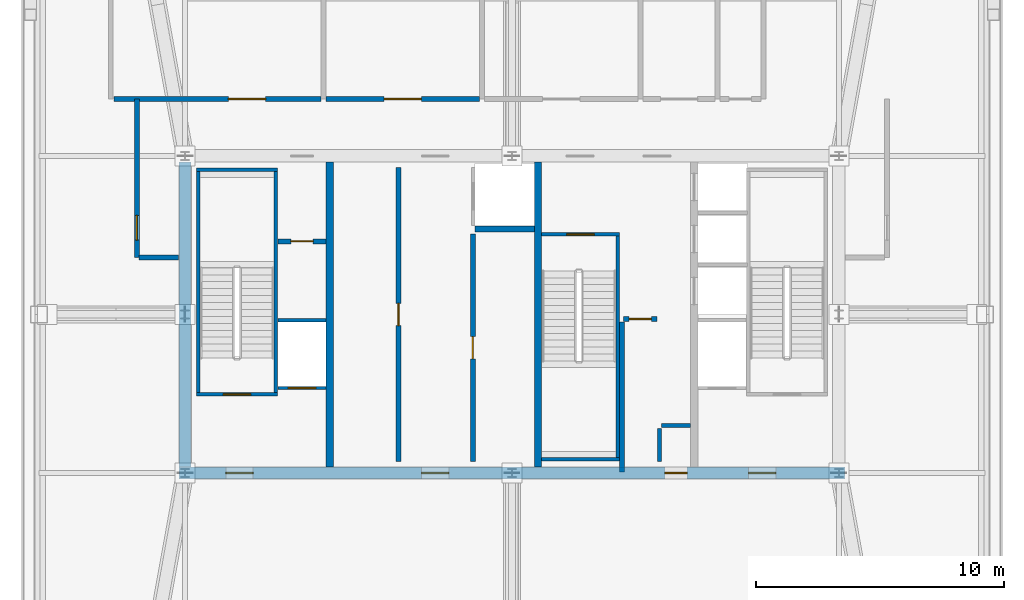
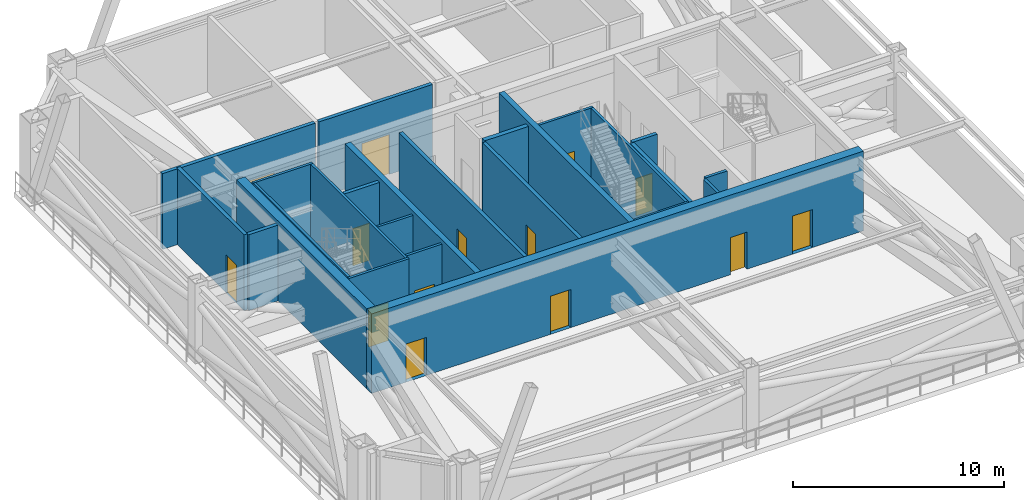
# One storey, part 5 of 9: 25 walls, 14 doors, 14 openings.
"""IFC4 building model written with IfcOpenShell, lengths in metres."""

from ifc_helpers import new_model, si_unit, direction, frame, frame_2d, origin, place, context, subcontext, project, spatial, rectangle, extrude, source, transform, mapped, material, layer, layer_set, type_object, element, fill, save


model = new_model("IFC4")

# Units and contexts
model_context = context("Model", 3, precision=1e-05, world=origin(), true_north=direction((0.0, 1.0)))
body_context = subcontext(model_context, "Body", "Model", "MODEL_VIEW")
ifc_project = project(units=[si_unit("LENGTHUNIT", "METRE"), si_unit("AREAUNIT", "SQUARE_METRE"), si_unit("VOLUMEUNIT", "CUBIC_METRE"), si_unit("PLANEANGLEUNIT", "RADIAN"), si_unit("MASSUNIT", "GRAM", prefix="KILO"), si_unit("THERMODYNAMICTEMPERATUREUNIT", "KELVIN"), si_unit("POWERUNIT", "WATT")], contexts=[model_context])

# Site, building, storey
site_placement = place(None, origin())
site = spatial("IfcSite", under=ifc_project, at=site_placement, CompositionType="ELEMENT")
building_placement = place(site_placement, origin())
building = spatial("IfcBuilding", under=site, at=building_placement, Name="Yuzanri Waterfront Tower", CompositionType="ELEMENT")
storey_placement = place(building_placement, frame((0.0, 0.0, 306.60009765625)))
storey = spatial("IfcBuildingStorey", under=building, at=storey_placement, Name="L82", CompositionType="ELEMENT", Elevation=306.60009765625)

# Wall, openings, doors
ifc_material_1 = material(Name="Concrete C45", Category="concrete")
ifc_layer_1 = layer(ifc_material_1, 0.47998046875)
ifc_layer_set_1 = layer_set([ifc_layer_1], Name="Concrete C45")
wall_type_1 = type_object("IfcWallType", Name="Concrete C45 High-Rise Core Shear Wall 480", PredefinedType="SHEAR", material=ifc_layer_set_1)
wall_1_placement = place(storey_placement, frame((23.56005859375, 19.39990234375, 0.0), z_axis=(0.0, 0.0, 1.0), x_axis=(1.0, 0.0, 0.0)))
wall_1 = element("IfcWall", 1, at=wall_1_placement, inside=storey, type_object=wall_type_1, Name="L82 Core South Shear Wall", PredefinedType="SHEAR", context=body_context, shape_type="SweptSolid", body=[
    extrude(rectangle(XDim=26.8798828125, YDim=0.47998046875, at=frame_2d((13.43994140625, 0.0))), origin(), (0.0, 0.0, 1.0), 4.599853515625),
])
opening_1_placement = place(wall_1_placement, frame((1.889892578125, 0.0, 0.0)))
opening_1 = element("IfcOpeningElement", 2, at=opening_1_placement, cuts=wall_1, Name="Opening FD-1100", PredefinedType="OPENING", context=body_context, shape_type="SweptSolid", body=[
    extrude(rectangle(XDim=1.10009765625, YDim=2.199951171875, at=frame_2d((0.550048828125, 1.10009765625))), frame((0.0, 0.2548828125, 0.0), z_axis=(0.0, -1.0, 0.0), x_axis=(1.0, 0.0, 0.0)), (0.0, 0.0, 1.0), 0.509765625),
])
opening_2_placement = place(wall_1_placement, frame((9.7900390625, 0.0, 0.0)))
opening_2 = element("IfcOpeningElement", 3, at=opening_2_placement, cuts=wall_1, Name="Opening FD-1100", PredefinedType="OPENING", context=body_context, shape_type="SweptSolid", body=[
    extrude(rectangle(XDim=1.10009765625, YDim=2.199951171875, at=frame_2d((0.550048828125, 1.10009765625))), frame((0.0, 0.2548828125, 0.0), z_axis=(0.0, -1.0, 0.0), x_axis=(1.0, 0.0, 0.0)), (0.0, 0.0, 1.0), 0.509765625),
])
opening_3_placement = place(wall_1_placement, frame((22.989990234375, 0.0, 0.0)))
opening_3 = element("IfcOpeningElement", 4, at=opening_3_placement, cuts=wall_1, Name="Opening FD-1100", PredefinedType="OPENING", context=body_context, shape_type="SweptSolid", body=[
    extrude(rectangle(XDim=1.10009765625, YDim=2.199951171875, at=frame_2d((0.550048828125, 1.10009765625))), frame((0.0, 0.2548828125, 0.0), z_axis=(0.0, -1.0, 0.0), x_axis=(1.0, 0.0, 0.0)), (0.0, 0.0, 1.0), 0.509765625),
])
opening_4_placement = place(wall_1_placement, frame((19.610107421875, 0.0, 0.0)))
opening_4 = element("IfcOpeningElement", 5, at=opening_4_placement, cuts=wall_1, Name="Opening FD-0900", PredefinedType="OPENING", context=body_context, shape_type="SweptSolid", body=[
    extrude(rectangle(XDim=0.89990234375, YDim=2.14990234375, at=frame_2d((0.449951171875, 1.074951171875))), frame((0.0, 0.2548828125, 0.0), z_axis=(0.0, -1.0, 0.0), x_axis=(1.0, 0.0, 0.0)), (0.0, 0.0, 1.0), 0.509765625),
])
ifc_material_2 = material(Name="Painted Galvanized Fire Steel", Category="steel")
door_type_1 = type_object("IfcDoorType", Name="Smoke-Proof Stair and Lobby Fire Door 1100x2200", OperationType="NOTDEFINED", PredefinedType="DOOR", material=ifc_material_2)
shared_shape_1 = source(origin(), body_context, "Body", "SweptSolid", [
    extrude(rectangle(XDim=1.10009765625, YDim=2.199951171875, at=frame_2d((0.550048828125, 1.10009765625))), frame((0.0, 0.02490234375, 0.0), z_axis=(0.0, -1.0, 0.0), x_axis=(1.0, 0.0, 0.0)), (0.0, 0.0, 1.0), 0.050048828125),
])
door_1_placement = place(opening_1_placement, origin())
door_1 = element("IfcDoor", 6, at=door_1_placement, inside=storey, type_object=door_type_1, Name="L82 West Firefighting Lobby Door", OperationType="SINGLE_SWING_LEFT", OverallHeight=2.199951171875, OverallWidth=1.10009765625, PredefinedType="DOOR", context=body_context, shape_type="MappedRepresentation", body=[
    mapped(shared_shape_1, transform((0.0, 0.0, 0.0), scale=1.0)),
])
fill(opening_1, door_1)
door_2_placement = place(opening_2_placement, origin())
door_2 = element("IfcDoor", 7, at=door_2_placement, inside=storey, type_object=door_type_1, Name="L82 Central Lift Lobby South Door", OperationType="SINGLE_SWING_RIGHT", OverallHeight=2.199951171875, OverallWidth=1.10009765625, PredefinedType="DOOR", context=body_context, shape_type="MappedRepresentation", body=[
    mapped(shared_shape_1, transform((0.0, 0.0, 0.0), scale=1.0)),
])
fill(opening_2, door_2)
door_3_placement = place(opening_3_placement, origin())
door_3 = element("IfcDoor", 8, at=door_3_placement, inside=storey, type_object=door_type_1, Name="L82 East Firefighting Lobby Door", OperationType="SINGLE_SWING_LEFT", OverallHeight=2.199951171875, OverallWidth=1.10009765625, PredefinedType="DOOR", context=body_context, shape_type="MappedRepresentation", body=[
    mapped(shared_shape_1, transform((0.0, 0.0, 0.0), scale=1.0)),
])
fill(opening_3, door_3)
ifc_material_3 = material(Name="Painted Galvanized Fire Steel", Category="steel")
door_type_2 = type_object("IfcDoorType", Name="Riser and Service Room Fire Door 900x2150", OperationType="NOTDEFINED", PredefinedType="DOOR", material=ifc_material_3)
shared_shape_2 = source(origin(), body_context, "Body", "SweptSolid", [
    extrude(rectangle(XDim=0.89990234375, YDim=2.14990234375, at=frame_2d((0.449951171875, 1.074951171875))), frame((0.0, 0.02490234375, 0.0), z_axis=(0.0, -1.0, 0.0), x_axis=(1.0, 0.0, 0.0)), (0.0, 0.0, 1.0), 0.050048828125),
])
door_4_placement = place(opening_4_placement, origin())
door_4 = element("IfcDoor", 9, at=door_4_placement, inside=storey, type_object=door_type_2, Name="L82 East Wet Riser Door", OperationType="SINGLE_SWING_LEFT", OverallHeight=2.14990234375, OverallWidth=0.89990234375, PredefinedType="DOOR", context=body_context, shape_type="MappedRepresentation", body=[
    mapped(shared_shape_2, transform((0.0, 0.0, 0.0), scale=1.0)),
])
fill(opening_4, door_4)

# Wall, opening, door
ifc_material_4 = material(Name="Concrete C40", Category="concrete")
ifc_layer_2 = layer(ifc_material_4, 0.139892578125)
ifc_layer_set_2 = layer_set([ifc_layer_2], Name="Concrete C40")
wall_type_2 = type_object("IfcWallType", Name="Core Stair Liner and Hoistway Shaft Wall 140", PredefinedType="SOLIDWALL", material=ifc_layer_set_2)
wall_2_placement = place(storey_placement, frame((27.56005859375, 22.830078125, 0.0), z_axis=(0.0, 0.0, 1.0), x_axis=(1.0, 0.0, 0.0)))
wall_2 = element("IfcWall", 10, at=wall_2_placement, inside=storey, type_object=wall_type_2, Name="L82 Lift FL-01 Front Shaft Wall", PredefinedType="SOLIDWALL", context=body_context, shape_type="SweptSolid", body=[
    extrude(rectangle(XDim=1.919921875, YDim=0.139892578125, at=frame_2d((0.9599609375, 0.0))), origin(), (0.0, 0.0, 1.0), 4.3798828125),
])
opening_5_placement = place(wall_2_placement, frame((0.409912109375, 0.0, 0.0)))
opening_5 = element("IfcOpeningElement", 11, at=opening_5_placement, cuts=wall_2, Name="Opening LD-FL-01", PredefinedType="OPENING", context=body_context, shape_type="SweptSolid", body=[
    extrude(rectangle(XDim=1.10009765625, YDim=2.199951171875, at=frame_2d((0.550048828125, 1.10009765625))), frame((0.0, 0.0849609375, 0.0), z_axis=(0.0, -1.0, 0.0), x_axis=(1.0, 0.0, 0.0)), (0.0, 0.0, 1.0), 0.169677734375),
])
ifc_material_5 = material(Name="Brushed Bronze and Stainless Steel Cab", Category="steel")
door_type_3 = type_object("IfcDoorType", Name="Center-Parting Bronze Lift Landing Sliding Door 1100x2200", OperationType="NOTDEFINED", PredefinedType="DOOR", material=ifc_material_5)
shared_shape_3 = source(origin(), body_context, "Body", "SweptSolid", [
    extrude(rectangle(XDim=1.10009765625, YDim=2.199951171875, at=frame_2d((0.550048828125, 1.10009765625))), frame((0.0, 0.02490234375, 0.0), z_axis=(0.0, -1.0, 0.0), x_axis=(1.0, 0.0, 0.0)), (0.0, 0.0, 1.0), 0.050048828125),
])
door_5_placement = place(opening_5_placement, origin())
door_5 = element("IfcDoor", 12, at=door_5_placement, inside=storey, type_object=door_type_3, Name="L82 FL-01 Lift Landing Sliding Door", OperationType="SLIDING_TO_LEFT", OverallHeight=2.199951171875, OverallWidth=1.10009765625, PredefinedType="DOOR", context=body_context, shape_type="MappedRepresentation", body=[
    mapped(shared_shape_3, transform((0.0, 0.0, 0.0), scale=1.0)),
])
fill(opening_5, door_5)

wall_3_placement = place(storey_placement, frame((24.260009765625, 22.570068359375, 0.0), z_axis=(0.0, 0.0, 1.0), x_axis=(1.0, 0.0, 0.0)))
wall_3 = element("IfcWall", 13, at=wall_3_placement, inside=storey, type_object=wall_type_2, Name="L82 Shaft Wall STW-L82-ST-01-S", PredefinedType="SOLIDWALL", context=body_context, shape_type="SweptSolid", body=[
    extrude(rectangle(XDim=3.280029296875, YDim=0.139892578125, at=frame_2d((1.64013671875, 0.0))), origin(), (0.0, 0.0, 1.0), 4.3798828125),
])
opening_6_placement = place(wall_3_placement, frame((1.090087890625, 0.0, 0.0)))
opening_6 = element("IfcOpeningElement", 14, at=opening_6_placement, cuts=wall_3, Name="Opening FD-1100", PredefinedType="OPENING", context=body_context, shape_type="SweptSolid", body=[
    extrude(rectangle(XDim=1.10009765625, YDim=2.199951171875, at=frame_2d((0.550048828125, 1.10009765625))), frame((0.0, 0.0849609375, 0.0), z_axis=(0.0, -1.0, 0.0), x_axis=(1.0, 0.0, 0.0)), (0.0, 0.0, 1.0), 0.169677734375),
])
door_6_placement = place(opening_6_placement, origin())
door_6 = element("IfcDoor", 15, at=door_6_placement, inside=storey, type_object=door_type_1, Name="L82 Stair ST-01 Fire Door", OperationType="SINGLE_SWING_RIGHT", OverallHeight=2.199951171875, OverallWidth=1.10009765625, PredefinedType="DOOR", context=body_context, shape_type="MappedRepresentation", body=[
    mapped(shared_shape_1, transform((0.0, 0.0, 0.0), scale=1.0)),
])
fill(opening_6, door_6)

wall_4_placement = place(storey_placement, frame((38.199951171875, 29.030029296875, 0.0), z_axis=(0.0, 0.0, 1.0), x_axis=(1.0, 0.0, 0.0)))
wall_4 = element("IfcWall", 16, at=wall_4_placement, inside=storey, type_object=wall_type_2, Name="L82 Shaft Wall STW-L82-ST-03-N", PredefinedType="SOLIDWALL", context=body_context, shape_type="SweptSolid", body=[
    extrude(rectangle(XDim=3.14013671875, YDim=0.139892578125, at=frame_2d((1.570068359375, 0.0))), origin(), (0.0, 0.0, 1.0), 4.3798828125),
])
opening_7_placement = place(wall_4_placement, frame((1.02001953125, 0.0, 0.0)))
opening_7 = element("IfcOpeningElement", 17, at=opening_7_placement, cuts=wall_4, Name="Opening FD-1100", PredefinedType="OPENING", context=body_context, shape_type="SweptSolid", body=[
    extrude(rectangle(XDim=1.10009765625, YDim=2.199951171875, at=frame_2d((0.550048828125, 1.10009765625))), frame((0.0, 0.0849609375, 0.0), z_axis=(0.0, -1.0, 0.0), x_axis=(1.0, 0.0, 0.0)), (0.0, 0.0, 1.0), 0.169677734375),
])
door_7_placement = place(opening_7_placement, origin())
door_7 = element("IfcDoor", 18, at=door_7_placement, inside=storey, type_object=door_type_1, Name="L82 Stair ST-03 Fire Door", OperationType="SINGLE_SWING_RIGHT", OverallHeight=2.199951171875, OverallWidth=1.10009765625, PredefinedType="DOOR", context=body_context, shape_type="MappedRepresentation", body=[
    mapped(shared_shape_1, transform((0.0, 0.0, 0.0), scale=1.0)),
])
fill(opening_7, door_7)

ifc_material_6 = material(Name="Autoclaved Aerated Concrete Blockwork", Category="masonry")
ifc_layer_3 = layer(ifc_material_6, 0.199951171875)
ifc_layer_set_3 = layer_set([ifc_layer_3], Name="Autoclaved Aerated Concrete Blockwork")
wall_type_3 = type_object("IfcWallType", Name="Corridor and Unit Party Fire Wall 200", PredefinedType="PARTITIONING", material=ifc_layer_set_3)
wall_5_placement = place(storey_placement, frame((27.56005859375, 28.75, 0.0), z_axis=(0.0, 0.0, 1.0), x_axis=(1.0, 0.0, 0.0)))
wall_5 = element("IfcWall", 19, at=wall_5_placement, inside=storey, type_object=wall_type_3, Name="L82 Partition CRW-L82-ERTR", PredefinedType="PARTITIONING", context=body_context, shape_type="SweptSolid", body=[
    extrude(rectangle(XDim=1.919921875, YDim=0.199951171875, at=frame_2d((0.9599609375, 0.0))), origin(), (0.0, 0.0, 1.0), 4.3798828125),
])
opening_8_placement = place(wall_5_placement, frame((0.510009765625, 0.0, 0.0)))
opening_8 = element("IfcOpeningElement", 20, at=opening_8_placement, cuts=wall_5, Name="Opening FD-0900", PredefinedType="OPENING", context=body_context, shape_type="SweptSolid", body=[
    extrude(rectangle(XDim=0.89990234375, YDim=2.14990234375, at=frame_2d((0.449951171875, 1.074951171875))), frame((0.0, 0.11474609375, 0.0), z_axis=(0.0, -1.0, 0.0), x_axis=(1.0, 0.0, 0.0)), (0.0, 0.0, 1.0), 0.229736328125),
])
door_8_placement = place(opening_8_placement, origin())
door_8 = element("IfcDoor", 21, at=door_8_placement, inside=storey, type_object=door_type_2, Name="L82 Electrical Riser Door", OperationType="SINGLE_SWING_RIGHT", OverallHeight=2.14990234375, OverallWidth=0.89990234375, PredefinedType="DOOR", context=body_context, shape_type="MappedRepresentation", body=[
    mapped(shared_shape_2, transform((0.0, 0.0, 0.0), scale=1.0)),
])
fill(opening_8, door_8)

wall_6_placement = place(storey_placement, frame((32.419921875, 19.860107421875, 0.0), z_axis=(0.0, 0.0, 1.0), x_axis=(0.0, 1.0, 0.0)))
wall_6 = element("IfcWall", 22, at=wall_6_placement, inside=storey, type_object=wall_type_3, Name="L82 Partition CRW-L82-B1R-1", PredefinedType="PARTITIONING", context=body_context, shape_type="SweptSolid", body=[
    extrude(rectangle(XDim=11.8798828125, YDim=0.199951171875, at=frame_2d((5.93994140625, 0.0))), origin(), (0.0, 0.0, 1.0), 4.3798828125),
])
opening_9_placement = place(wall_6_placement, frame((5.489990234375, 0.0, 0.0)))
opening_9 = element("IfcOpeningElement", 23, at=opening_9_placement, cuts=wall_6, Name="Opening FD-0900", PredefinedType="OPENING", context=body_context, shape_type="SweptSolid", body=[
    extrude(rectangle(XDim=0.89990234375, YDim=2.14990234375, at=frame_2d((0.449951171875, 1.074951171875))), frame((0.0, 0.11474609375, 0.0), z_axis=(0.0, -1.0, 0.0), x_axis=(1.0, 0.0, 0.0)), (0.0, 0.0, 1.0), 0.229736328125),
])
door_9_placement = place(opening_9_placement, origin())
door_9 = element("IfcDoor", 24, at=door_9_placement, inside=storey, type_object=door_type_2, Name="L82 Plant Room", OperationType="SINGLE_SWING_LEFT", OverallHeight=2.14990234375, OverallWidth=0.89990234375, PredefinedType="DOOR", context=body_context, shape_type="MappedRepresentation", body=[
    mapped(shared_shape_2, transform((0.0, 0.0, 0.0), scale=1.0)),
])
fill(opening_9, door_9)

wall_7_placement = place(storey_placement, frame((35.419921875, 19.860107421875, 0.0), z_axis=(0.0, 0.0, 1.0), x_axis=(0.0, 1.0, 0.0)))
wall_7 = element("IfcWall", 25, at=wall_7_placement, inside=storey, type_object=wall_type_3, Name="L82 Partition CRW-L82-B2R-1", PredefinedType="PARTITIONING", context=body_context, shape_type="SweptSolid", body=[
    extrude(rectangle(XDim=9.18994140625, YDim=0.199951171875, at=frame_2d((4.594970703125, 0.0))), origin(), (0.0, 0.0, 1.0), 4.3798828125),
])
opening_10_placement = place(wall_7_placement, frame((4.14501953125, 0.0, 0.0)))
opening_10 = element("IfcOpeningElement", 26, at=opening_10_placement, cuts=wall_7, Name="Opening FD-0900", PredefinedType="OPENING", context=body_context, shape_type="SweptSolid", body=[
    extrude(rectangle(XDim=0.89990234375, YDim=2.14990234375, at=frame_2d((0.449951171875, 1.074951171875))), frame((0.0, 0.11474609375, 0.0), z_axis=(0.0, -1.0, 0.0), x_axis=(1.0, 0.0, 0.0)), (0.0, 0.0, 1.0), 0.229736328125),
])
door_10_placement = place(opening_10_placement, origin())
door_10 = element("IfcDoor", 27, at=door_10_placement, inside=storey, type_object=door_type_2, Name="L82 Upper Plant Room", OperationType="SINGLE_SWING_RIGHT", OverallHeight=2.14990234375, OverallWidth=0.89990234375, PredefinedType="DOOR", context=body_context, shape_type="MappedRepresentation", body=[
    mapped(shared_shape_2, transform((0.0, 0.0, 0.0), scale=1.0)),
])
fill(opening_10, door_10)

wall_8_placement = place(storey_placement, frame((41.5, 25.6201171875, 0.0), z_axis=(0.0, 0.0, 1.0), x_axis=(1.0, 0.0, 0.0)))
wall_8 = element("IfcWall", 28, at=wall_8_placement, inside=storey, type_object=wall_type_3, Name="L82 Partition CRW-L82-BOHH-1", PredefinedType="PARTITIONING", context=body_context, shape_type="SweptSolid", body=[
    extrude(rectangle(XDim=1.35009765625, YDim=0.199951171875, at=frame_2d((0.675048828125, 0.0))), origin(), (0.0, 0.0, 1.0), 4.3798828125),
])
opening_11_placement = place(wall_8_placement, frame((0.22998046875, 0.0, 0.0)))
opening_11 = element("IfcOpeningElement", 29, at=opening_11_placement, cuts=wall_8, Name="Opening FD-0900", PredefinedType="OPENING", context=body_context, shape_type="SweptSolid", body=[
    extrude(rectangle(XDim=0.89990234375, YDim=2.14990234375, at=frame_2d((0.449951171875, 1.074951171875))), frame((0.0, 0.11474609375, 0.0), z_axis=(0.0, -1.0, 0.0), x_axis=(1.0, 0.0, 0.0)), (0.0, 0.0, 1.0), 0.229736328125),
])
door_11_placement = place(opening_11_placement, origin())
door_11 = element("IfcDoor", 30, at=door_11_placement, inside=storey, type_object=door_type_2, Name="L82 Refuge Mechanical Equipment Store Room", OperationType="SINGLE_SWING_RIGHT", OverallHeight=2.14990234375, OverallWidth=0.89990234375, PredefinedType="DOOR", context=body_context, shape_type="MappedRepresentation", body=[
    mapped(shared_shape_2, transform((0.0, 0.0, 0.0), scale=1.0)),
])
fill(opening_11, door_11)

wall_9_placement = place(storey_placement, frame((21.85009765625, 28.10009765625, 0.0), z_axis=(0.0, 0.0, 1.0), x_axis=(0.0, 1.0, 0.0)))
wall_9 = element("IfcWall", 31, at=wall_9_placement, inside=storey, type_object=wall_type_3, Name="L82 Partition RFW-L82-CW", PredefinedType="PARTITIONING", context=body_context, shape_type="SweptSolid", body=[
    extrude(rectangle(XDim=6.39990234375, YDim=0.199951171875, at=frame_2d((3.199951171875, 0.0))), origin(), (0.0, 0.0, 1.0), 4.3798828125),
])
opening_12_placement = place(wall_9_placement, frame((0.699951171875, 0.0, 0.0)))
opening_12 = element("IfcOpeningElement", 32, at=opening_12_placement, cuts=wall_9, Name="Opening TD-1000", PredefinedType="OPENING", context=body_context, shape_type="SweptSolid", body=[
    extrude(rectangle(XDim=1.0, YDim=2.199951171875, at=frame_2d((0.5, 1.10009765625))), frame((0.0, 0.11474609375, 0.0), z_axis=(0.0, -1.0, 0.0), x_axis=(1.0, 0.0, 0.0)), (0.0, 0.0, 1.0), 0.229736328125),
])
ifc_material_7 = material(Name="Anodized Architectural Bronze", Category="metal")
door_type_4 = type_object("IfcDoorType", Name="Anodized Bronze Refuge Deck Weatherproof Exit Door 1000x2200", OperationType="NOTDEFINED", PredefinedType="DOOR", material=ifc_material_7)
shared_shape_4 = source(origin(), body_context, "Body", "SweptSolid", [
    extrude(rectangle(XDim=1.0, YDim=2.199951171875, at=frame_2d((0.5, 1.10009765625))), frame((0.0, 0.02490234375, 0.0), z_axis=(0.0, -1.0, 0.0), x_axis=(1.0, 0.0, 0.0)), (0.0, 0.0, 1.0), 0.050048828125),
])
door_12_placement = place(opening_12_placement, origin())
door_12 = element("IfcDoor", 33, at=door_12_placement, inside=storey, type_object=door_type_4, Name="L82 West Refuge Deck Exit Door", OperationType="SINGLE_SWING_LEFT", OverallHeight=2.199951171875, OverallWidth=1.0, PredefinedType="DOOR", context=body_context, shape_type="MappedRepresentation", body=[
    mapped(shared_shape_4, transform((0.0, 0.0, 0.0), scale=1.0)),
])
fill(opening_12, door_12)

wall_10_placement = place(storey_placement, frame((20.93994140625, 34.5, 0.0), z_axis=(0.0, 0.0, 1.0), x_axis=(1.0, 0.0, 0.0)))
wall_10 = element("IfcWall", 34, at=wall_10_placement, inside=storey, type_object=wall_type_3, Name="L82 Partition RFW-L82-019-S", PredefinedType="PARTITIONING", context=body_context, shape_type="SweptSolid", body=[
    extrude(rectangle(XDim=8.35107421875, YDim=0.199951171875, at=frame_2d((4.175537109375, 0.0))), origin(), (0.0, 0.0, 1.0), 4.3798828125),
])
opening_13_placement = place(wall_10_placement, frame((4.610107421875, 0.0, 0.0)))
opening_13 = element("IfcOpeningElement", 35, at=opening_13_placement, cuts=wall_10, Name="Opening FD-1500", PredefinedType="OPENING", context=body_context, shape_type="SweptSolid", body=[
    extrude(rectangle(XDim=1.5, YDim=2.300048828125, at=frame_2d((0.75, 1.14990234375))), frame((0.0, 0.11474609375, 0.0), z_axis=(0.0, -1.0, 0.0), x_axis=(1.0, 0.0, 0.0)), (0.0, 0.0, 1.0), 0.229736328125),
])
ifc_material_8 = material(Name="Painted Galvanized Fire Steel", Category="steel")
door_type_5 = type_object("IfcDoorType", Name="Plant and Ballroom Double Fire Door 1500x2300", OperationType="NOTDEFINED", PredefinedType="DOOR", material=ifc_material_8)
shared_shape_5 = source(origin(), body_context, "Body", "SweptSolid", [
    extrude(rectangle(XDim=1.5, YDim=2.300048828125, at=frame_2d((0.75, 1.14990234375))), frame((0.0, 0.02490234375, 0.0), z_axis=(0.0, -1.0, 0.0), x_axis=(1.0, 0.0, 0.0)), (0.0, 0.0, 1.0), 0.050048828125),
])
door_13_placement = place(opening_13_placement, origin())
door_13 = element("IfcDoor", 36, at=door_13_placement, inside=storey, type_object=door_type_5, Name="L82 Air-Handling Plant Room", OperationType="DOUBLE_DOOR_SINGLE_SWING", OverallHeight=2.300048828125, OverallWidth=1.5, PredefinedType="DOOR", context=body_context, shape_type="MappedRepresentation", body=[
    mapped(shared_shape_5, transform((0.0, 0.0, 0.0), scale=1.0)),
])
fill(opening_13, door_13)

wall_11_placement = place(storey_placement, frame((29.490966796875, 34.5, 0.0), z_axis=(0.0, 0.0, 1.0), x_axis=(1.0, 0.0, 0.0)))
wall_11 = element("IfcWall", 37, at=wall_11_placement, inside=storey, type_object=wall_type_3, Name="L82 Partition RFW-L82-020-S", PredefinedType="PARTITIONING", context=body_context, shape_type="SweptSolid", body=[
    extrude(rectangle(XDim=6.199951171875, YDim=0.199951171875, at=frame_2d((3.10009765625, 0.0))), origin(), (0.0, 0.0, 1.0), 4.3798828125),
])
opening_14_placement = place(wall_11_placement, frame((2.35009765625, 0.0, 0.0)))
opening_14 = element("IfcOpeningElement", 38, at=opening_14_placement, cuts=wall_11, Name="Opening FD-1500", PredefinedType="OPENING", context=body_context, shape_type="SweptSolid", body=[
    extrude(rectangle(XDim=1.5, YDim=2.300048828125, at=frame_2d((0.75, 1.14990234375))), frame((0.0, 0.11474609375, 0.0), z_axis=(0.0, -1.0, 0.0), x_axis=(1.0, 0.0, 0.0)), (0.0, 0.0, 1.0), 0.229736328125),
])
door_14_placement = place(opening_14_placement, origin())
door_14 = element("IfcDoor", 39, at=door_14_placement, inside=storey, type_object=door_type_5, Name="L82 Fire Booster and Transfer Pump Plant Room", OperationType="DOUBLE_DOOR_SINGLE_SWING", OverallHeight=2.300048828125, OverallWidth=1.5, PredefinedType="DOOR", context=body_context, shape_type="MappedRepresentation", body=[
    mapped(shared_shape_5, transform((0.0, 0.0, 0.0), scale=1.0)),
])
fill(opening_14, door_14)

# Walls
shared_shape_6 = source(origin(), body_context, "Body", "SweptSolid", [
    extrude(rectangle(XDim=12.320068359375, YDim=0.47998046875, at=frame_2d((6.16015625, 0.0))), origin(), (0.0, 0.0, 1.0), 4.599853515625),
])
wall_12_placement = place(storey_placement, frame((23.800048828125, 19.639892578125, 0.0), z_axis=(0.0, 0.0, 1.0), x_axis=(0.0, 1.0, 0.0)))
element("IfcWall", 40, at=wall_12_placement, inside=storey, type_object=wall_type_1, Name="L82 Core West Shear Wall", PredefinedType="SHEAR", context=body_context, shape_type="MappedRepresentation", body=[
    mapped(shared_shape_6, transform((0.0, 0.0, 0.0), scale=1.0)),
])
ifc_material_9 = material(Name="Concrete C50", Category="concrete")
ifc_layer_4 = layer(ifc_material_9, 0.300048828125)
ifc_layer_set_4 = layer_set([ifc_layer_4], Name="Concrete C50")
wall_type_4 = type_object("IfcWallType", Name="Concrete C50 Internal Core Shaft Structural Wall 300", PredefinedType="SOLIDWALL", material=ifc_layer_set_4)
shared_shape_7 = source(origin(), body_context, "Body", "SweptSolid", [
    extrude(rectangle(XDim=12.320068359375, YDim=0.300048828125, at=frame_2d((6.16015625, 0.0))), origin(), (0.0, 0.0, 1.0), 4.599853515625),
])
for number, where, z_axis, x_axis, name in (
    (41, (29.64990234375, 19.639892578125, 0.0), (0.0, 0.0, 1.0), (0.0, 1.0, 0.0), "L82 Core Internal Structural Web Wall 1"),
    (42, (38.050048828125, 19.639892578125, 0.0), (0.0, 0.0, 1.0), (0.0, 1.0, 0.0), "L82 Core Internal Structural Web Wall 2"),
):
    element("IfcWall", number, at=place(storey_placement, frame(where, z_axis=z_axis, x_axis=x_axis)), inside=storey, type_object=wall_type_4, Name=name, PredefinedType="SOLIDWALL", context=body_context, shape_type="MappedRepresentation", body=[
        mapped(shared_shape_7, transform((0.0, 0.0, 0.0), scale=1.0)),
    ])
shared_shape_8 = source(origin(), body_context, "Body", "SweptSolid", [
    extrude(rectangle(XDim=1.919921875, YDim=0.139892578125, at=frame_2d((0.9599609375, 0.0))), origin(), (0.0, 0.0, 1.0), 4.3798828125),
])
wall_13_placement = place(storey_placement, frame((27.56005859375, 25.570068359375, 0.0), z_axis=(0.0, 0.0, 1.0), x_axis=(1.0, 0.0, 0.0)))
element("IfcWall", 43, at=wall_13_placement, inside=storey, type_object=wall_type_2, Name="L82 Lift FL-01 Back Shaft Wall", PredefinedType="SOLIDWALL", context=body_context, shape_type="MappedRepresentation", body=[
    mapped(shared_shape_8, transform((0.0, 0.0, 0.0), scale=1.0)),
])
ifc_material_10 = material(Name="Concrete C40", Category="concrete")
ifc_layer_5 = layer(ifc_material_10, 0.25)
ifc_layer_set_5 = layer_set([ifc_layer_5], Name="Concrete C40")
wall_type_5 = type_object("IfcWallType", Name="Smoke-Proof Stair and Lift Shaft Wall 250", PredefinedType="SOLIDWALL", material=ifc_layer_set_5)
shared_shape_9 = source(origin(), body_context, "Body", "SweptSolid", [
    extrude(rectangle(XDim=2.39990234375, YDim=0.25, at=frame_2d((1.199951171875, 0.0))), origin(), (0.0, 0.0, 1.0), 4.3798828125),
])
wall_14_placement = place(storey_placement, frame((35.5, 29.25, 0.0), z_axis=(0.0, 0.0, 1.0), x_axis=(1.0, 0.0, 0.0)))
element("IfcWall", 44, at=wall_14_placement, inside=storey, type_object=wall_type_5, Name="L82 Lift SL-02 South Shaft Wall", PredefinedType="SOLIDWALL", context=body_context, shape_type="MappedRepresentation", body=[
    mapped(shared_shape_9, transform((0.0, 0.0, 0.0), scale=1.0)),
])
shared_shape_10 = source(origin(), body_context, "Body", "SweptSolid", [
    extrude(rectangle(XDim=3.280029296875, YDim=0.139892578125, at=frame_2d((1.64013671875, 0.0))), origin(), (0.0, 0.0, 1.0), 4.3798828125),
])
wall_15_placement = place(storey_placement, frame((24.260009765625, 31.64990234375, 0.0), z_axis=(0.0, 0.0, 1.0), x_axis=(1.0, 0.0, 0.0)))
element("IfcWall", 45, at=wall_15_placement, inside=storey, type_object=wall_type_2, Name="L82 Stair ST-01 North Shaft Wall", PredefinedType="SOLIDWALL", context=body_context, shape_type="MappedRepresentation", body=[
    mapped(shared_shape_10, transform((0.0, 0.0, 0.0), scale=1.0)),
])
shared_shape_11 = source(origin(), body_context, "Body", "SweptSolid", [
    extrude(rectangle(XDim=8.940185546875, YDim=0.139892578125, at=frame_2d((4.47021484375, 0.0))), origin(), (0.0, 0.0, 1.0), 4.3798828125),
])
for number, where, z_axis, x_axis, name in (
    (46, (24.330078125, 22.639892578125, 0.0), (0.0, 0.0, 1.0), (0.0, 1.0, 0.0), "L82 Stair ST-01 West Shaft Wall"),
    (47, (27.469970703125, 22.639892578125, 0.0), (0.0, 0.0, 1.0), (0.0, 1.0, 0.0), "L82 Stair ST-01 East Shaft Wall"),
):
    element("IfcWall", number, at=place(storey_placement, frame(where, z_axis=z_axis, x_axis=x_axis)), inside=storey, type_object=wall_type_2, Name=name, PredefinedType="SOLIDWALL", context=body_context, shape_type="MappedRepresentation", body=[
        mapped(shared_shape_11, transform((0.0, 0.0, 0.0), scale=1.0)),
    ])
shared_shape_12 = source(origin(), body_context, "Body", "SweptSolid", [
    extrude(rectangle(XDim=3.14013671875, YDim=0.139892578125, at=frame_2d((1.570068359375, 0.0))), origin(), (0.0, 0.0, 1.0), 4.3798828125),
])
wall_16_placement = place(storey_placement, frame((38.199951171875, 19.949951171875, 0.0), z_axis=(0.0, 0.0, 1.0), x_axis=(1.0, 0.0, 0.0)))
element("IfcWall", 48, at=wall_16_placement, inside=storey, type_object=wall_type_2, Name="L82 Stair ST-03 South Shaft Wall", PredefinedType="SOLIDWALL", context=body_context, shape_type="MappedRepresentation", body=[
    mapped(shared_shape_12, transform((0.0, 0.0, 0.0), scale=1.0)),
])
shared_shape_13 = source(origin(), body_context, "Body", "SweptSolid", [
    extrude(rectangle(XDim=8.93994140625, YDim=0.139892578125, at=frame_2d((4.469970703125, 0.0))), origin(), (0.0, 0.0, 1.0), 4.3798828125),
])
wall_17_placement = place(storey_placement, frame((41.27001953125, 20.02001953125, 0.0), z_axis=(0.0, 0.0, 1.0), x_axis=(0.0, 1.0, 0.0)))
element("IfcWall", 49, at=wall_17_placement, inside=storey, type_object=wall_type_2, Name="L82 Stair ST-03 East Shaft Wall", PredefinedType="SOLIDWALL", context=body_context, shape_type="MappedRepresentation", body=[
    mapped(shared_shape_13, transform((0.0, 0.0, 0.0), scale=1.0)),
])
ifc_material_11 = material(Name="Gypsum Fireboard Acoustic Stud Wall", Category="gypsum")
ifc_layer_6 = layer(ifc_material_11, 0.159912109375)
ifc_layer_set_6 = layer_set([ifc_layer_6], Name="Gypsum Fireboard Acoustic Stud Wall")
wall_type_6 = type_object("IfcWallType", Name="Acoustic Suite Demising Partition 160", PredefinedType="PARTITIONING", material=ifc_layer_set_6)
shared_shape_14 = source(origin(), body_context, "Body", "SweptSolid", [
    extrude(rectangle(XDim=1.33984375, YDim=0.159912109375, at=frame_2d((0.669921875, 0.0))), origin(), (0.0, 0.0, 1.0), 4.3798828125),
])
wall_18_placement = place(storey_placement, frame((42.949951171875, 19.860107421875, 0.0), z_axis=(0.0, 0.0, 1.0), x_axis=(0.0, 1.0, 0.0)))
element("IfcWall", 50, at=wall_18_placement, inside=storey, type_object=wall_type_6, Name="L82 East Wet Riser West Wall", PredefinedType="PARTITIONING", context=body_context, shape_type="MappedRepresentation", body=[
    mapped(shared_shape_14, transform((0.0, 0.0, 0.0), scale=1.0)),
])
shared_shape_15 = source(origin(), body_context, "Body", "SweptSolid", [
    extrude(rectangle(XDim=1.169921875, YDim=0.159912109375, at=frame_2d((0.5849609375, 0.0))), origin(), (0.0, 0.0, 1.0), 4.3798828125),
])
wall_19_placement = place(storey_placement, frame((43.030029296875, 21.320068359375, 0.0), z_axis=(0.0, 0.0, 1.0), x_axis=(1.0, 0.0, 0.0)))
element("IfcWall", 51, at=wall_19_placement, inside=storey, type_object=wall_type_6, Name="L82 East Wet Riser North Wall", PredefinedType="PARTITIONING", context=body_context, shape_type="MappedRepresentation", body=[
    mapped(shared_shape_15, transform((0.0, 0.0, 0.0), scale=1.0)),
])
shared_shape_16 = source(origin(), body_context, "Body", "SweptSolid", [
    extrude(rectangle(XDim=6.06005859375, YDim=0.199951171875, at=frame_2d((3.030029296875, 0.0))), origin(), (0.0, 0.0, 1.0), 4.3798828125),
])
wall_20_placement = place(storey_placement, frame((41.449951171875, 19.43994140625, 0.0), z_axis=(0.0, 0.0, 1.0), x_axis=(0.0, 1.0, 0.0)))
element("IfcWall", 52, at=wall_20_placement, inside=storey, type_object=wall_type_3, Name="L82 Core BOH West Wall 1", PredefinedType="PARTITIONING", context=body_context, shape_type="MappedRepresentation", body=[
    mapped(shared_shape_16, transform((0.0, 0.0, 0.0), scale=1.0)),
])
shared_shape_17 = source(origin(), body_context, "Body", "SweptSolid", [
    extrude(rectangle(XDim=1.590087890625, YDim=0.199951171875, at=frame_2d((0.794921875, 0.0))), origin(), (0.0, 0.0, 1.0), 4.3798828125),
])
wall_21_placement = place(storey_placement, frame((21.949951171875, 28.10009765625, 0.0), z_axis=(0.0, 0.0, 1.0), x_axis=(1.0, 0.0, 0.0)))
element("IfcWall", 53, at=wall_21_placement, inside=storey, type_object=wall_type_3, Name="L82 West Refuge Vestibule South Wall", PredefinedType="PARTITIONING", context=body_context, shape_type="MappedRepresentation", body=[
    mapped(shared_shape_17, transform((0.0, 0.0, 0.0), scale=1.0)),
])

save(model, "model.ifc")
